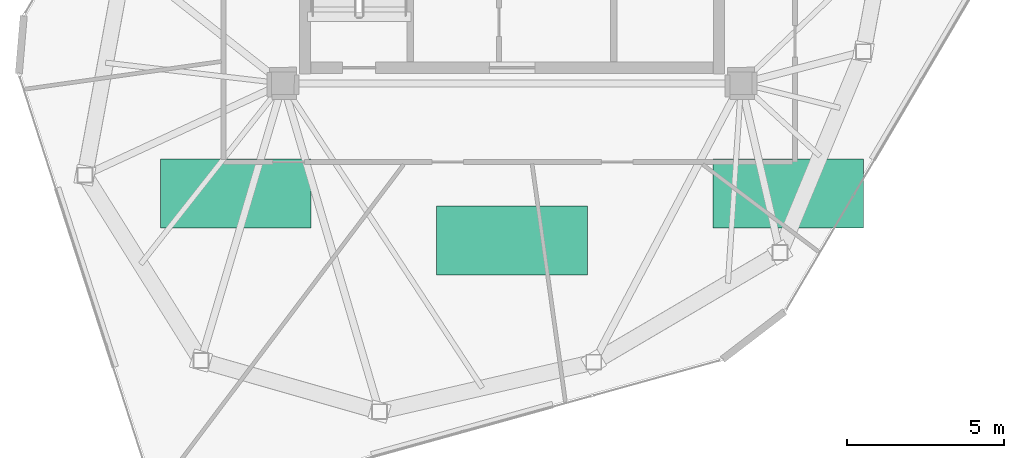
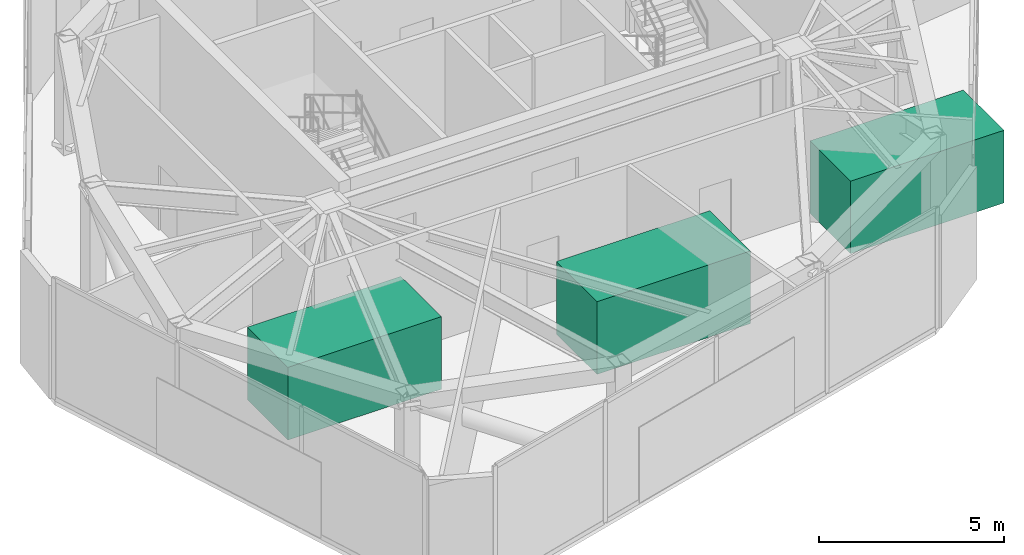
# One storey, part 19 of 19: 3 electric generators.
"""IFC4 building model written with IfcOpenShell, lengths in metres."""

from ifc_helpers import new_model, si_unit, direction, frame, origin, origin_2d, place, context, subcontext, project, spatial, rectangle, extrude, source, transform, mapped, material, type_object, type_shapes, element, save


model = new_model("IFC4")

# Units and contexts
model_context = context("Model", 3, precision=1e-05, world=origin(), true_north=direction((0.0, 1.0)))
body_context = subcontext(model_context, "Body", "Model", "MODEL_VIEW")
ifc_project = project(units=[si_unit("LENGTHUNIT", "METRE"), si_unit("AREAUNIT", "SQUARE_METRE"), si_unit("VOLUMEUNIT", "CUBIC_METRE"), si_unit("PLANEANGLEUNIT", "RADIAN"), si_unit("MASSUNIT", "GRAM", prefix="KILO")], contexts=[model_context])

# Site, building, storey
site_placement = place(None, origin())
site = spatial("IfcSite", under=ifc_project, at=site_placement, CompositionType="ELEMENT")
building_placement = place(site_placement, origin())
building = spatial("IfcBuilding", under=site, at=building_placement, Name="Talar Marvaseh", CompositionType="ELEMENT")
storey_placement = place(building_placement, frame((0.0, 0.0, 296.0)))
storey = spatial("IfcBuildingStorey", under=building, at=storey_placement, Name="L79", CompositionType="ELEMENT", Elevation=296.0)

# Electric generators
ifc_material = material(Name="Architectural Aluminium", Category="aluminium")
electric_generator_type = type_object("IfcElectricGeneratorType", Name="Rooftop Centrifugal Chiller and Cooling Plant Skid", PredefinedType="STANDALONE", material=ifc_material)
shared_shape = source(origin(), body_context, "Body", "SweptSolid", [
    extrude(rectangle(XDim=4.800048828125, YDim=2.199951171875, at=origin_2d()), origin(), (0.0, 0.0, 1.0), 2.39990234375),
])
type_shapes(electric_generator_type, [shared_shape])
for number, where, z_axis, x_axis, name in (
    (1, (17.199951171875, 22.0, 0.0), (0.0, 0.0, 1.0), (1.0, 0.0, 0.0), "L79 Crown Mechanical Plant Chiller Skid 1"),
    (2, (34.800048828125, 22.0, 0.0), (0.0, 0.0, 1.0), (1.0, 0.0, 0.0), "L79 Crown Mechanical Plant Chiller Skid 2"),
    (3, (26.0, 20.5, 0.0), (0.0, 0.0, 1.0), (1.0, 0.0, 0.0), "L79 Crown Mechanical Plant Chiller Skid 3"),
):
    element("IfcElectricGenerator", number, at=place(storey_placement, frame(where, z_axis=z_axis, x_axis=x_axis)), inside=storey, type_object=electric_generator_type, Name=name, PredefinedType="STANDALONE", context=body_context, shape_type="MappedRepresentation", body=[
        mapped(shared_shape, transform((0.0, 0.0, 0.0), x_axis=(1.0, 0.0, 0.0), y_axis=(0.0, 1.0, 0.0), z_axis=(0.0, 0.0, 1.0), scale=1.0)),
    ])

save(model, "model.ifc")
